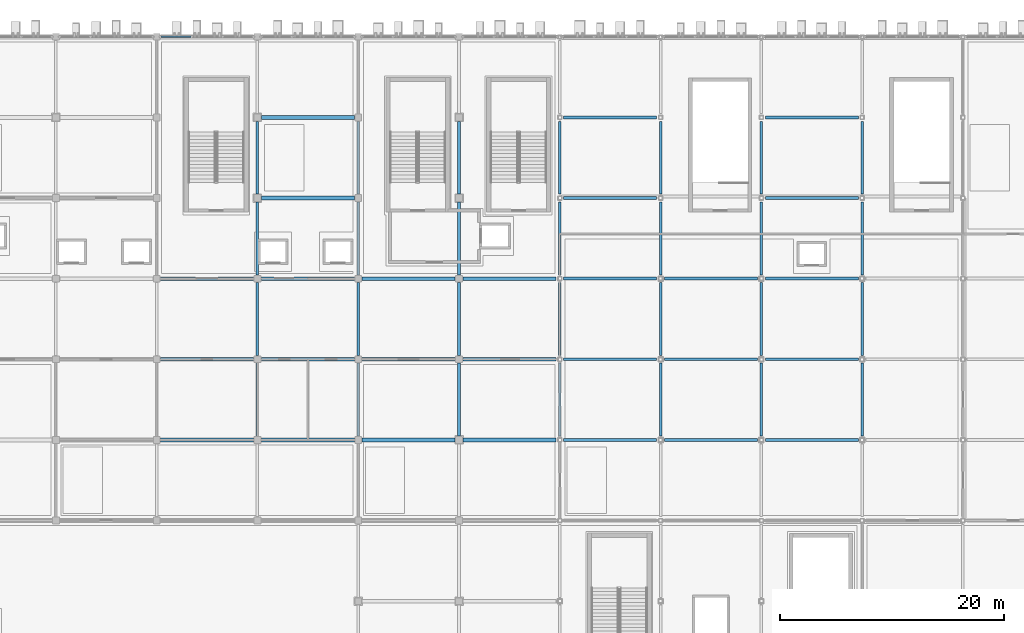
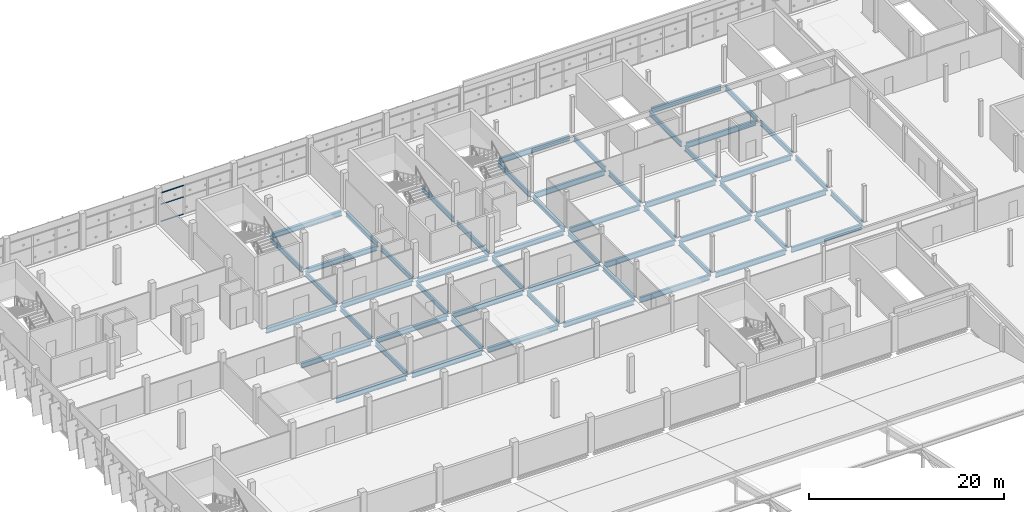
# One storey, part 67 of 124: 55 beams, 3 members, 1 element without a shape of its own.
"""IFC4 building model written with IfcOpenShell, lengths in metres."""

from ifc_helpers import new_model, si_unit, direction, frame, origin, origin_2d, place, context, subcontext, project, spatial, hollow_rectangle, i_section, extrude, material, layer, layer_set, material_profile, profile_set, type_object, element, aggregate, save


model = new_model("IFC4")

# Units and contexts
model_context = context("Model", 3, precision=1e-05, world=origin(), true_north=direction((0.0, 1.0)))
body_context = subcontext(model_context, "Body", "Model", "MODEL_VIEW")
ifc_project = project(units=[si_unit("LENGTHUNIT", "METRE"), si_unit("AREAUNIT", "SQUARE_METRE"), si_unit("VOLUMEUNIT", "CUBIC_METRE"), si_unit("PLANEANGLEUNIT", "RADIAN"), si_unit("MASSUNIT", "GRAM", prefix="KILO")], contexts=[model_context])

# Site, building, storey
site_placement = place(None, origin())
site = spatial("IfcSite", under=ifc_project, at=site_placement, CompositionType="ELEMENT")
building_placement = place(site_placement, origin())
building = spatial("IfcBuilding", under=site, at=building_placement, Name="Celestram Park Convention Centre", CompositionType="ELEMENT")
storey_placement = place(building_placement, frame((0.0, 0.0, 15.300048828125)))
storey = spatial("IfcBuildingStorey", under=building, at=storey_placement, Name="L03", CompositionType="ELEMENT", Elevation=15.300048828125)

# Curtain wall, members
ifc_material_1 = material(Name="Anodised Aluminium Alloy 6063-T6", Category="aluminium")
ifc_layer = layer(ifc_material_1, 0.179931640625)
ifc_layer_set = layer_set([ifc_layer], Name="Anodised Aluminium Alloy 6063-T6")
curtain_wall_type = type_object("IfcCurtainWallType", Name="ARC-CW-840X364", PredefinedType="NOTDEFINED", material=ifc_layer_set)
curtain_wall_placement = place(storey_placement, origin())
curtain_wall = element("IfcCurtainWall", 1, at=curtain_wall_placement, inside=storey, type_object=curtain_wall_type, Name="Unitised curtain wall CU-L03-206", PredefinedType="NOTDEFINED")
ifc_material_profile_1 = material_profile(ifc_material_1, hollow_rectangle(XDim=0.14990234375, YDim=0.06494140625, WallThickness=0.0029296875, at=origin_2d()), Name="ALU150X65X3")
ifc_profile_set_1 = profile_set([ifc_material_profile_1], Name="Anodised Aluminium Alloy 6063-T6")
member_type = type_object("IfcMemberType", Name="ARC-CWT-150", PredefinedType="USERDEFINED", material=ifc_profile_set_1)
member_1_placement = place(storey_placement, frame((63.373046875, 165.60009765625, 0.032470703125), z_axis=(1.0, 0.0, 0.0), x_axis=(0.0, 1.0, 0.0)))
member_1 = element("IfcMember", 2, at=member_1_placement, type_object=member_type, Name="CW-84X36 transom 1.1", ObjectType="TRANSOM", PredefinedType="USERDEFINED", context=body_context, shape_type="SweptSolid", body=[
    extrude(hollow_rectangle(XDim=0.14990234375, YDim=0.06494140625, WallThickness=0.0029296875, at=origin_2d()), origin(), (0.0, 0.0, 1.0), 2.688720703125),
])
member_2_placement = place(storey_placement, frame((63.373046875, 165.60009765625, 2.182861328125), z_axis=(1.0, 0.0, 0.0), x_axis=(0.0, 1.0, 0.0)))
member_2 = element("IfcMember", 3, at=member_2_placement, type_object=member_type, Name="CW-84X36 transom 1.2", ObjectType="TRANSOM", PredefinedType="USERDEFINED", context=body_context, shape_type="SweptSolid", body=[
    extrude(hollow_rectangle(XDim=0.14990234375, YDim=0.06494140625, WallThickness=0.0029296875, at=origin_2d()), origin(), (0.0, 0.0, 1.0), 2.688720703125),
])
member_3_placement = place(storey_placement, frame((63.373046875, 165.60009765625, 3.60546875), z_axis=(1.0, 0.0, 0.0), x_axis=(0.0, 1.0, 0.0)))
member_3 = element("IfcMember", 4, at=member_3_placement, type_object=member_type, Name="CW-84X36 transom 1.3", ObjectType="TRANSOM", PredefinedType="USERDEFINED", context=body_context, shape_type="SweptSolid", body=[
    extrude(hollow_rectangle(XDim=0.14990234375, YDim=0.06494140625, WallThickness=0.0029296875, at=origin_2d()), origin(), (0.0, 0.0, 1.0), 2.688720703125),
])
aggregate(curtain_wall, [member_1, member_2, member_3])

# Beams
ifc_material_2 = material(Name="Steel ASTM A992 Grade 50", Category="steel")
ifc_material_profile_2 = material_profile(ifc_material_2, i_section(OverallWidth=0.327880859375, OverallDepth=0.6220703125, WebThickness=0.015380859375, FlangeThickness=0.0244140625, at=origin_2d()), Name="W24X131")
ifc_profile_set_2 = profile_set([ifc_material_profile_2], Name="Steel ASTM A992 Grade 50")
beam_type_1 = type_object("IfcBeamType", Name="STR-BM-W24X131", PredefinedType="BEAM", material=ifc_profile_set_2)
for number, where, z_axis, x_axis, name in (
    (5, (63.347900390625, 129.60009765625, -0.56103515625), (1.0, 0.0, 0.0), (0.0, 1.0, 0.0), "Primary X-girder BG-L03-0048"),
    (6, (63.347900390625, 136.800048828125, -0.56103515625), (1.0, 0.0, 0.0), (0.0, 1.0, 0.0), "Primary X-girder BG-L03-0050"),
    (7, (63.347900390625, 144.0, -0.56103515625), (1.0, 0.0, 0.0), (0.0, 1.0, 0.0), "Primary X-girder BG-L03-0052"),
    (8, (72.347900390625, 129.60009765625, -0.56103515625), (1.0, 0.0, 0.0), (0.0, 1.0, 0.0), "Primary X-girder BG-L03-0060"),
    (9, (72.347900390625, 136.800048828125, -0.56103515625), (1.0, 0.0, 0.0), (0.0, 1.0, 0.0), "Primary X-girder BG-L03-0062"),
    (10, (72.347900390625, 144.0, -0.56103515625), (1.0, 0.0, 0.0), (0.0, 1.0, 0.0), "Primary X-girder BG-L03-0064"),
    (11, (72.347900390625, 151.199951171875, -0.56103515625), (1.0, 0.0, 0.0), (0.0, 1.0, 0.0), "Primary X-girder BG-L03-0066"),
    (12, (72.347900390625, 158.39990234375, -0.56103515625), (1.0, 0.0, 0.0), (0.0, 1.0, 0.0), "Primary X-girder BG-L03-0068"),
    (13, (81.347900390625, 129.60009765625, -0.56103515625), (1.0, 0.0, 0.0), (0.0, 1.0, 0.0), "Primary X-girder BG-L03-0077"),
    (14, (81.347900390625, 136.800048828125, -0.56103515625), (1.0, 0.0, 0.0), (0.0, 1.0, 0.0), "Primary X-girder BG-L03-0079"),
    (15, (81.347900390625, 144.0, -0.56103515625), (1.0, 0.0, 0.0), (0.0, 1.0, 0.0), "Primary X-girder BG-L03-0081"),
    (16, (90.347900390625, 129.60009765625, -0.56103515625), (1.0, 0.0, 0.0), (0.0, 1.0, 0.0), "Primary X-girder BG-L03-0092"),
    (17, (90.347900390625, 136.800048828125, -0.56103515625), (1.0, 0.0, 0.0), (0.0, 1.0, 0.0), "Primary X-girder BG-L03-0094"),
    (18, (90.347900390625, 144.0, -0.56103515625), (1.0, 0.0, 0.0), (0.0, 1.0, 0.0), "Primary X-girder BG-L03-0096"),
):
    element("IfcBeam", number, at=place(storey_placement, frame(where, z_axis=z_axis, x_axis=x_axis)), inside=storey, type_object=beam_type_1, Name=name, PredefinedType="BEAM", context=body_context, shape_type="SweptSolid", body=[
        extrude(i_section(OverallWidth=0.327880859375, OverallDepth=0.6220703125, WebThickness=0.015380859375, FlangeThickness=0.0244140625, at=origin_2d()), origin(), (0.0, 0.0, 1.0), 8.30419921875),
    ])
ifc_material_profile_3 = material_profile(ifc_material_2, i_section(OverallWidth=0.22900390625, OverallDepth=0.612060546875, WebThickness=0.011962890625, FlangeThickness=0.01953125, at=origin_2d()), Name="W24X84")
ifc_profile_set_3 = profile_set([ifc_material_profile_3], Name="Steel ASTM A992 Grade 50")
beam_type_2 = type_object("IfcBeamType", Name="STR-BM-W24X84", PredefinedType="BEAM", material=ifc_profile_set_3)
beam_1_placement = place(storey_placement, frame((72.0, 129.947998046875, -0.55615234375), z_axis=(0.0, 1.0, 0.0), x_axis=(-1.0, 0.0, 0.0)))
element("IfcBeam", 19, at=beam_1_placement, inside=storey, type_object=beam_type_2, Name="Primary Y-girder BG-L03-0061", PredefinedType="BEAM", context=body_context, shape_type="SweptSolid", body=[
    extrude(i_section(OverallWidth=0.22900390625, OverallDepth=0.612060546875, WebThickness=0.011962890625, FlangeThickness=0.01953125, at=origin_2d()), origin(), (0.0, 0.0, 1.0), 6.50390625),
])
for number, where, z_axis, x_axis, name in (
    (20, (72.0, 137.14794921875, -0.55615234375), (0.0, 1.0, 0.0), (-1.0, 0.0, 0.0), "Primary Y-girder BG-L03-0063"),
    (21, (72.0, 144.347900390625, -0.55615234375), (0.0, 1.0, 0.0), (-1.0, 0.0, 0.0), "Primary Y-girder BG-L03-0065"),
):
    element("IfcBeam", number, at=place(storey_placement, frame(where, z_axis=z_axis, x_axis=x_axis)), inside=storey, type_object=beam_type_2, Name=name, PredefinedType="BEAM", context=body_context, shape_type="SweptSolid", body=[
        extrude(i_section(OverallWidth=0.22900390625, OverallDepth=0.612060546875, WebThickness=0.011962890625, FlangeThickness=0.01953125, at=origin_2d()), origin(), (0.0, 0.0, 1.0), 6.504150390625),
    ])
for number, where, z_axis, x_axis, name in (
    (22, (72.0, 151.548095703125, -0.55615234375), (0.0, 1.0, 0.0), (-1.0, 0.0, 0.0), "Primary Y-girder BG-L03-0067"),
    (23, (81.0, 129.947998046875, -0.55615234375), (0.0, 1.0, 0.0), (-1.0, 0.0, 0.0), "Primary Y-girder BG-L03-0078"),
):
    element("IfcBeam", number, at=place(storey_placement, frame(where, z_axis=z_axis, x_axis=x_axis)), inside=storey, type_object=beam_type_2, Name=name, PredefinedType="BEAM", context=body_context, shape_type="SweptSolid", body=[
        extrude(i_section(OverallWidth=0.22900390625, OverallDepth=0.612060546875, WebThickness=0.011962890625, FlangeThickness=0.01953125, at=origin_2d()), origin(), (0.0, 0.0, 1.0), 6.50390625),
    ])
for number, where, z_axis, x_axis, name in (
    (24, (81.0, 137.14794921875, -0.55615234375), (0.0, 1.0, 0.0), (-1.0, 0.0, 0.0), "Primary Y-girder BG-L03-0080"),
    (25, (81.0, 144.347900390625, -0.55615234375), (0.0, 1.0, 0.0), (-1.0, 0.0, 0.0), "Primary Y-girder BG-L03-0082"),
):
    element("IfcBeam", number, at=place(storey_placement, frame(where, z_axis=z_axis, x_axis=x_axis)), inside=storey, type_object=beam_type_2, Name=name, PredefinedType="BEAM", context=body_context, shape_type="SweptSolid", body=[
        extrude(i_section(OverallWidth=0.22900390625, OverallDepth=0.612060546875, WebThickness=0.011962890625, FlangeThickness=0.01953125, at=origin_2d()), origin(), (0.0, 0.0, 1.0), 6.504150390625),
    ])
for number, where, z_axis, x_axis, name in (
    (26, (81.0, 151.548095703125, -0.55615234375), (0.0, 1.0, 0.0), (-1.0, 0.0, 0.0), "Primary Y-girder BG-L03-0083"),
    (27, (90.0, 129.947998046875, -0.55615234375), (0.0, 1.0, 0.0), (-1.0, 0.0, 0.0), "Primary Y-girder BG-L03-0093"),
):
    element("IfcBeam", number, at=place(storey_placement, frame(where, z_axis=z_axis, x_axis=x_axis)), inside=storey, type_object=beam_type_2, Name=name, PredefinedType="BEAM", context=body_context, shape_type="SweptSolid", body=[
        extrude(i_section(OverallWidth=0.22900390625, OverallDepth=0.612060546875, WebThickness=0.011962890625, FlangeThickness=0.01953125, at=origin_2d()), origin(), (0.0, 0.0, 1.0), 6.50390625),
    ])
for number, where, z_axis, x_axis, name in (
    (28, (90.0, 137.14794921875, -0.55615234375), (0.0, 1.0, 0.0), (-1.0, 0.0, 0.0), "Primary Y-girder BG-L03-0095"),
    (29, (90.0, 144.347900390625, -0.55615234375), (0.0, 1.0, 0.0), (-1.0, 0.0, 0.0), "Primary Y-girder BG-L03-0097"),
):
    element("IfcBeam", number, at=place(storey_placement, frame(where, z_axis=z_axis, x_axis=x_axis)), inside=storey, type_object=beam_type_2, Name=name, PredefinedType="BEAM", context=body_context, shape_type="SweptSolid", body=[
        extrude(i_section(OverallWidth=0.22900390625, OverallDepth=0.612060546875, WebThickness=0.011962890625, FlangeThickness=0.01953125, at=origin_2d()), origin(), (0.0, 0.0, 1.0), 6.504150390625),
    ])
for number, where, z_axis, x_axis, name in (
    (30, (90.0, 151.548095703125, -0.55615234375), (0.0, 1.0, 0.0), (-1.0, 0.0, 0.0), "Primary Y-girder BG-L03-0098"),
    (31, (99.0, 129.947998046875, -0.55615234375), (0.0, 1.0, 0.0), (-1.0, 0.0, 0.0), "Primary Y-girder BG-L03-0107"),
):
    element("IfcBeam", number, at=place(storey_placement, frame(where, z_axis=z_axis, x_axis=x_axis)), inside=storey, type_object=beam_type_2, Name=name, PredefinedType="BEAM", context=body_context, shape_type="SweptSolid", body=[
        extrude(i_section(OverallWidth=0.22900390625, OverallDepth=0.612060546875, WebThickness=0.011962890625, FlangeThickness=0.01953125, at=origin_2d()), origin(), (0.0, 0.0, 1.0), 6.50390625),
    ])
for number, where, z_axis, x_axis, name in (
    (32, (99.0, 137.14794921875, -0.55615234375), (0.0, 1.0, 0.0), (-1.0, 0.0, 0.0), "Primary Y-girder BG-L03-0109"),
    (33, (99.0, 144.347900390625, -0.55615234375), (0.0, 1.0, 0.0), (-1.0, 0.0, 0.0), "Primary Y-girder BG-L03-0111"),
):
    element("IfcBeam", number, at=place(storey_placement, frame(where, z_axis=z_axis, x_axis=x_axis)), inside=storey, type_object=beam_type_2, Name=name, PredefinedType="BEAM", context=body_context, shape_type="SweptSolid", body=[
        extrude(i_section(OverallWidth=0.22900390625, OverallDepth=0.612060546875, WebThickness=0.011962890625, FlangeThickness=0.01953125, at=origin_2d()), origin(), (0.0, 0.0, 1.0), 6.504150390625),
    ])
for number, where, z_axis, x_axis, name in (
    (34, (99.0, 151.548095703125, -0.55615234375), (0.0, 1.0, 0.0), (-1.0, 0.0, 0.0), "Primary Y-girder BG-L03-0113"),
    (35, (108.0, 129.947998046875, -0.55615234375), (0.0, 1.0, 0.0), (-1.0, 0.0, 0.0), "Primary Y-girder BG-L03-0123"),
):
    element("IfcBeam", number, at=place(storey_placement, frame(where, z_axis=z_axis, x_axis=x_axis)), inside=storey, type_object=beam_type_2, Name=name, PredefinedType="BEAM", context=body_context, shape_type="SweptSolid", body=[
        extrude(i_section(OverallWidth=0.22900390625, OverallDepth=0.612060546875, WebThickness=0.011962890625, FlangeThickness=0.01953125, at=origin_2d()), origin(), (0.0, 0.0, 1.0), 6.50390625),
    ])
for number, where, z_axis, x_axis, name in (
    (36, (108.0, 137.14794921875, -0.55615234375), (0.0, 1.0, 0.0), (-1.0, 0.0, 0.0), "Primary Y-girder BG-L03-0125"),
    (37, (108.0, 144.347900390625, -0.55615234375), (0.0, 1.0, 0.0), (-1.0, 0.0, 0.0), "Primary Y-girder BG-L03-0127"),
):
    element("IfcBeam", number, at=place(storey_placement, frame(where, z_axis=z_axis, x_axis=x_axis)), inside=storey, type_object=beam_type_2, Name=name, PredefinedType="BEAM", context=body_context, shape_type="SweptSolid", body=[
        extrude(i_section(OverallWidth=0.22900390625, OverallDepth=0.612060546875, WebThickness=0.011962890625, FlangeThickness=0.01953125, at=origin_2d()), origin(), (0.0, 0.0, 1.0), 6.504150390625),
    ])
for number, where, z_axis, x_axis, name in (
    (38, (108.0, 151.548095703125, -0.55615234375), (0.0, 1.0, 0.0), (-1.0, 0.0, 0.0), "Primary Y-girder BG-L03-0128"),
    (39, (117.0, 129.947998046875, -0.55615234375), (0.0, 1.0, 0.0), (-1.0, 0.0, 0.0), "Primary Y-girder BG-L03-0137"),
):
    element("IfcBeam", number, at=place(storey_placement, frame(where, z_axis=z_axis, x_axis=x_axis)), inside=storey, type_object=beam_type_2, Name=name, PredefinedType="BEAM", context=body_context, shape_type="SweptSolid", body=[
        extrude(i_section(OverallWidth=0.22900390625, OverallDepth=0.612060546875, WebThickness=0.011962890625, FlangeThickness=0.01953125, at=origin_2d()), origin(), (0.0, 0.0, 1.0), 6.50390625),
    ])
for number, where, z_axis, x_axis, name in (
    (40, (117.0, 137.14794921875, -0.55615234375), (0.0, 1.0, 0.0), (-1.0, 0.0, 0.0), "Primary Y-girder BG-L03-0139"),
    (41, (117.0, 144.347900390625, -0.55615234375), (0.0, 1.0, 0.0), (-1.0, 0.0, 0.0), "Primary Y-girder BG-L03-0141"),
):
    element("IfcBeam", number, at=place(storey_placement, frame(where, z_axis=z_axis, x_axis=x_axis)), inside=storey, type_object=beam_type_2, Name=name, PredefinedType="BEAM", context=body_context, shape_type="SweptSolid", body=[
        extrude(i_section(OverallWidth=0.22900390625, OverallDepth=0.612060546875, WebThickness=0.011962890625, FlangeThickness=0.01953125, at=origin_2d()), origin(), (0.0, 0.0, 1.0), 6.504150390625),
    ])
for number, where, z_axis, x_axis, name in (
    (42, (117.0, 151.548095703125, -0.55615234375), (0.0, 1.0, 0.0), (-1.0, 0.0, 0.0), "Primary Y-girder BG-L03-0143"),
    (43, (126.0, 129.947998046875, -0.55615234375), (0.0, 1.0, 0.0), (-1.0, 0.0, 0.0), "Primary Y-girder BG-L03-0173"),
):
    element("IfcBeam", number, at=place(storey_placement, frame(where, z_axis=z_axis, x_axis=x_axis)), inside=storey, type_object=beam_type_2, Name=name, PredefinedType="BEAM", context=body_context, shape_type="SweptSolid", body=[
        extrude(i_section(OverallWidth=0.22900390625, OverallDepth=0.612060546875, WebThickness=0.011962890625, FlangeThickness=0.01953125, at=origin_2d()), origin(), (0.0, 0.0, 1.0), 6.50390625),
    ])
for number, where, z_axis, x_axis, name in (
    (44, (126.0, 137.14794921875, -0.55615234375), (0.0, 1.0, 0.0), (-1.0, 0.0, 0.0), "Primary Y-girder BG-L03-0175"),
    (45, (126.0, 144.347900390625, -0.55615234375), (0.0, 1.0, 0.0), (-1.0, 0.0, 0.0), "Primary Y-girder BG-L03-0177"),
):
    element("IfcBeam", number, at=place(storey_placement, frame(where, z_axis=z_axis, x_axis=x_axis)), inside=storey, type_object=beam_type_2, Name=name, PredefinedType="BEAM", context=body_context, shape_type="SweptSolid", body=[
        extrude(i_section(OverallWidth=0.22900390625, OverallDepth=0.612060546875, WebThickness=0.011962890625, FlangeThickness=0.01953125, at=origin_2d()), origin(), (0.0, 0.0, 1.0), 6.504150390625),
    ])
beam_2_placement = place(storey_placement, frame((126.0, 151.548095703125, -0.55615234375), z_axis=(0.0, 1.0, 0.0), x_axis=(-1.0, 0.0, 0.0)))
element("IfcBeam", 46, at=beam_2_placement, inside=storey, type_object=beam_type_2, Name="Primary Y-girder BG-L03-0178", PredefinedType="BEAM", context=body_context, shape_type="SweptSolid", body=[
    extrude(i_section(OverallWidth=0.22900390625, OverallDepth=0.612060546875, WebThickness=0.011962890625, FlangeThickness=0.01953125, at=origin_2d()), origin(), (0.0, 0.0, 1.0), 6.50390625),
])
ifc_material_profile_4 = material_profile(ifc_material_2, i_section(OverallWidth=0.25390625, OverallDepth=0.68310546875, WebThickness=0.012451171875, FlangeThickness=0.01904296875, at=origin_2d()), Name="W27X94")
ifc_profile_set_4 = profile_set([ifc_material_profile_4], Name="Steel ASTM A992 Grade 50")
beam_type_3 = type_object("IfcBeamType", Name="STR-BM-W27X94", PredefinedType="BEAM", material=ifc_profile_set_4)
for number, where, z_axis, x_axis, name in (
    (47, (99.347900390625, 129.60009765625, -0.591552734375), (1.0, 0.0, 0.0), (0.0, 1.0, 0.0), "Primary X-girder BG-L03-0106"),
    (48, (99.347900390625, 136.800048828125, -0.591552734375), (1.0, 0.0, 0.0), (0.0, 1.0, 0.0), "Primary X-girder BG-L03-0108"),
    (49, (99.347900390625, 144.0, -0.591552734375), (1.0, 0.0, 0.0), (0.0, 1.0, 0.0), "Primary X-girder BG-L03-0110"),
    (50, (99.347900390625, 151.199951171875, -0.591552734375), (1.0, 0.0, 0.0), (0.0, 1.0, 0.0), "Primary X-girder BG-L03-0112"),
    (51, (99.347900390625, 158.39990234375, -0.591552734375), (1.0, 0.0, 0.0), (0.0, 1.0, 0.0), "Primary X-girder BG-L03-0114"),
    (52, (108.347900390625, 129.60009765625, -0.591552734375), (1.0, 0.0, 0.0), (0.0, 1.0, 0.0), "Primary X-girder BG-L03-0122"),
    (53, (108.347900390625, 136.800048828125, -0.591552734375), (1.0, 0.0, 0.0), (0.0, 1.0, 0.0), "Primary X-girder BG-L03-0124"),
    (54, (108.347900390625, 144.0, -0.591552734375), (1.0, 0.0, 0.0), (0.0, 1.0, 0.0), "Primary X-girder BG-L03-0126"),
    (55, (117.347900390625, 129.60009765625, -0.591552734375), (1.0, 0.0, 0.0), (0.0, 1.0, 0.0), "Primary X-girder BG-L03-0136"),
    (56, (117.347900390625, 136.800048828125, -0.591552734375), (1.0, 0.0, 0.0), (0.0, 1.0, 0.0), "Primary X-girder BG-L03-0138"),
    (57, (117.347900390625, 144.0, -0.591552734375), (1.0, 0.0, 0.0), (0.0, 1.0, 0.0), "Primary X-girder BG-L03-0140"),
    (58, (117.347900390625, 151.199951171875, -0.591552734375), (1.0, 0.0, 0.0), (0.0, 1.0, 0.0), "Primary X-girder BG-L03-0142"),
    (59, (117.347900390625, 158.39990234375, -0.591552734375), (1.0, 0.0, 0.0), (0.0, 1.0, 0.0), "Primary X-girder BG-L03-0144"),
):
    element("IfcBeam", number, at=place(storey_placement, frame(where, z_axis=z_axis, x_axis=x_axis)), inside=storey, type_object=beam_type_3, Name=name, PredefinedType="BEAM", context=body_context, shape_type="SweptSolid", body=[
        extrude(i_section(OverallWidth=0.25390625, OverallDepth=0.68310546875, WebThickness=0.012451171875, FlangeThickness=0.01904296875, at=origin_2d()), origin(), (0.0, 0.0, 1.0), 8.30419921875),
    ])

save(model, "model.ifc")
